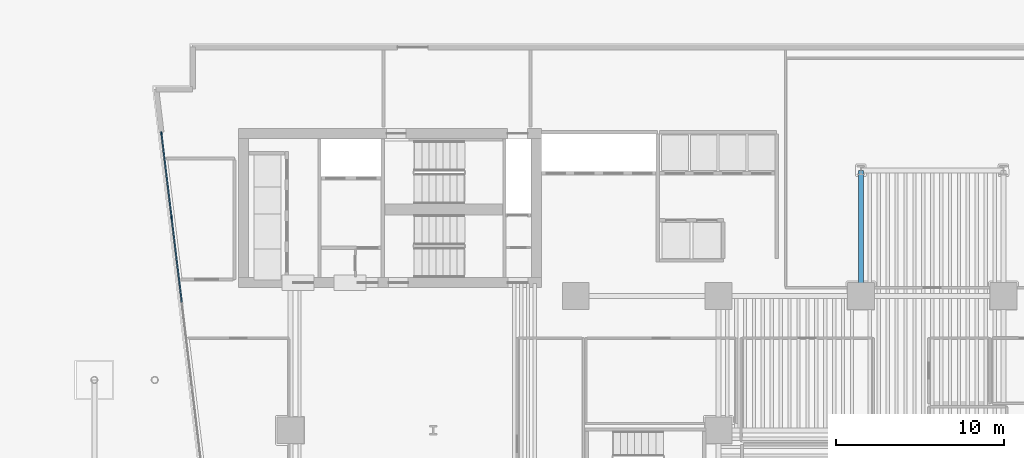
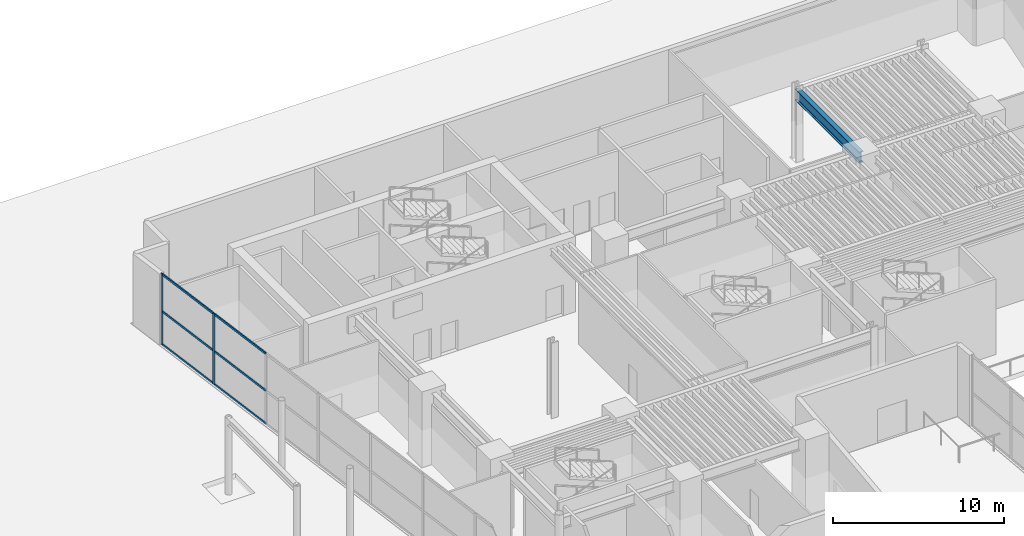
# One storey, part 6 of 18: 8 members, 1 beam, 1 element without a shape of its own.
"""IFC4 building model written with IfcOpenShell, lengths in metres."""

from ifc_helpers import new_model, si_unit, direction, frame, origin, origin_2d, place, context, subcontext, project, spatial, rectangle, i_section, extrude, material, layer, layer_set, material_profile, profile_set, type_object, element, aggregate, save


model = new_model("IFC4")

# Units and contexts
model_context = context("Model", 3, precision=1e-05, world=origin(), true_north=direction((0.0, 1.0)))
body_context = subcontext(model_context, "Body", "Model", "MODEL_VIEW")
ifc_project = project(units=[si_unit("LENGTHUNIT", "METRE"), si_unit("AREAUNIT", "SQUARE_METRE"), si_unit("VOLUMEUNIT", "CUBIC_METRE"), si_unit("PLANEANGLEUNIT", "RADIAN"), si_unit("MASSUNIT", "GRAM", prefix="KILO")], contexts=[model_context])

# Site, building, storey
site_placement = place(None, origin())
site = spatial("IfcSite", under=ifc_project, at=site_placement, CompositionType="ELEMENT")
building_placement = place(site_placement, origin())
building = spatial("IfcBuilding", under=site, at=building_placement, Name="Caeloran Harvest Quay", CompositionType="ELEMENT")
storey_placement = place(building_placement, origin())
storey = spatial("IfcBuildingStorey", under=building, at=storey_placement, Name="L01", CompositionType="ELEMENT", Elevation=0.0)

# Beam
ifc_material_1 = material(Name="Steel S355J2", Category="steel")
ifc_material_profile_1 = material_profile(ifc_material_1, i_section(OverallWidth=0.300048828125, OverallDepth=0.800048828125, WebThickness=0.017578125, FlangeThickness=0.032958984375, FilletRadius=0.030029296875, at=origin_2d()), Name="HE 800 B")
ifc_profile_set_1 = profile_set([ifc_material_profile_1], Name="Steel S355J2")
beam_type = type_object("IfcBeamType", Name="BM-PG-1-HE_800_B", PredefinedType="BEAM", material=ifc_profile_set_1)
beam_placement = place(storey_placement, frame((42.5, 31.0, 4.679931640625), z_axis=(0.0, 1.0, 0.0), x_axis=(-1.0, 0.0, 0.0)))
element("IfcBeam", 1, at=beam_placement, inside=storey, type_object=beam_type, Name="L01 Primary North-South Girder X=42.5", PredefinedType="BEAM", context=body_context, shape_type="SweptSolid", body=[
    extrude(i_section(OverallWidth=0.300048828125, OverallDepth=0.800048828125, WebThickness=0.017578125, FlangeThickness=0.032958984375, FilletRadius=0.030029296875, at=origin_2d()), origin(), (0.0, 0.0, 1.0), 7.5),
])

# Curtain wall, members
ifc_material_2 = material(Name="Aluminium 6063-T6 and Low-E Glazing", Category="aluminium")
ifc_layer = layer(ifc_material_2, 0.179931640625, Name="Aluminium 6063-T6 and Low-E Glazing")
ifc_layer_set = layer_set([ifc_layer], Name="Aluminium 6063-T6 and Low-E Glazing")
curtain_wall_type = type_object("IfcCurtainWallType", Name="CW-SYS-CW-1", PredefinedType="USERDEFINED", material=ifc_layer_set)
curtain_wall_placement = place(storey_placement, origin())
curtain_wall = element("IfcCurtainWall", 2, at=curtain_wall_placement, inside=storey, type_object=curtain_wall_type, Name="L01 Unitised Curtain Wall CW-1 Run 3", ObjectType="CURTAIN_WALL", PredefinedType="USERDEFINED")
ifc_material_3 = material(Name="Aluminium 6063-T6", Category="aluminium")
ifc_material_profile_2 = material_profile(ifc_material_3, rectangle(XDim=0.080078125, YDim=0.179931640625, at=origin_2d()), Name="CW-MULLION-180")
ifc_profile_set_2 = profile_set([ifc_material_profile_2], Name="Aluminium 6063-T6")
member_type_1 = type_object("IfcMemberType", Name="CW-MULLION-180", PredefinedType="MULLION", material=ifc_profile_set_2)
member_1_placement = place(storey_placement, frame((1.404296875, 35.684814453125, 0.0), z_axis=(0.0, 0.0, 1.0), x_axis=(-0.992815161093, -0.119658079138, 0.0)))
member_1 = element("IfcMember", 3, at=member_1_placement, type_object=member_type_1, Name="CW-1 mullion 7", PredefinedType="MULLION", context=body_context, shape_type="SweptSolid", body=[
    extrude(rectangle(XDim=0.080078125, YDim=0.179931640625, at=origin_2d()), origin(), (0.0, 0.0, 1.0), 5.080078125),
])
member_2_placement = place(storey_placement, frame((0.797607421875, 40.718994140625, 0.0), z_axis=(0.0, 0.0, 1.0), x_axis=(-0.992815161093, -0.119658079138, 0.0)))
member_2 = element("IfcMember", 4, at=member_2_placement, type_object=member_type_1, Name="CW-1 mullion 8", PredefinedType="MULLION", context=body_context, shape_type="SweptSolid", body=[
    extrude(rectangle(XDim=0.080078125, YDim=0.179931640625, at=origin_2d()), origin(), (0.0, 0.0, 1.0), 5.080078125),
])
ifc_material_profile_3 = material_profile(ifc_material_3, rectangle(XDim=0.080078125, YDim=0.14990234375, at=origin_2d()), Name="CW-TRANSOM-150")
ifc_profile_set_3 = profile_set([ifc_material_profile_3], Name="Aluminium 6063-T6")
member_type_2 = type_object("IfcMemberType", Name="CW-TRANSOM-150", PredefinedType="USERDEFINED", material=ifc_profile_set_3)
member_3_placement = place(storey_placement, frame((2.010986328125, 30.650634765625, 0.0400390625), z_axis=(-0.119631291469, 0.992818389284, 0.0), x_axis=(-0.992818389284, -0.119631291469, 0.0)))
member_3 = element("IfcMember", 5, at=member_3_placement, type_object=member_type_2, Name="CW-1 transom 6.1", ObjectType="TRANSOM", PredefinedType="USERDEFINED", context=body_context, shape_type="SweptSolid", body=[
    extrude(rectangle(XDim=0.080078125, YDim=0.14990234375, at=origin_2d()), origin(), (0.0, 0.0, 1.0), 5.030517578125),
])
member_4_placement = place(storey_placement, frame((2.010986328125, 30.650634765625, 2.39990234375), z_axis=(-0.119631291469, 0.992818389284, 0.0), x_axis=(-0.992818389284, -0.119631291469, 0.0)))
member_4 = element("IfcMember", 6, at=member_4_placement, type_object=member_type_2, Name="CW-1 transom 6.2", ObjectType="TRANSOM", PredefinedType="USERDEFINED", context=body_context, shape_type="SweptSolid", body=[
    extrude(rectangle(XDim=0.080078125, YDim=0.14990234375, at=origin_2d()), origin(), (0.0, 0.0, 1.0), 5.030517578125),
])
member_5_placement = place(storey_placement, frame((2.010986328125, 30.650634765625, 5.0400390625), z_axis=(-0.119631291469, 0.992818389284, 0.0), x_axis=(-0.992818389284, -0.119631291469, 0.0)))
member_5 = element("IfcMember", 7, at=member_5_placement, type_object=member_type_2, Name="CW-1 transom 6.3", ObjectType="TRANSOM", PredefinedType="USERDEFINED", context=body_context, shape_type="SweptSolid", body=[
    extrude(rectangle(XDim=0.080078125, YDim=0.14990234375, at=origin_2d()), origin(), (0.0, 0.0, 1.0), 5.030517578125),
])
member_6_placement = place(storey_placement, frame((1.399658203125, 35.724609375, 0.0400390625), z_axis=(-0.119662199144, 0.992814664525, 0.0), x_axis=(-0.992814664525, -0.119662199144, 0.0)))
member_6 = element("IfcMember", 8, at=member_6_placement, type_object=member_type_2, Name="CW-1 transom 7.1", ObjectType="TRANSOM", PredefinedType="USERDEFINED", context=body_context, shape_type="SweptSolid", body=[
    extrude(rectangle(XDim=0.080078125, YDim=0.14990234375, at=origin_2d()), origin(), (0.0, 0.0, 1.0), 4.990478515625),
])
member_7_placement = place(storey_placement, frame((1.399658203125, 35.724609375, 2.39990234375), z_axis=(-0.119662199144, 0.992814664525, 0.0), x_axis=(-0.992814664525, -0.119662199144, 0.0)))
member_7 = element("IfcMember", 9, at=member_7_placement, type_object=member_type_2, Name="CW-1 transom 7.2", ObjectType="TRANSOM", PredefinedType="USERDEFINED", context=body_context, shape_type="SweptSolid", body=[
    extrude(rectangle(XDim=0.080078125, YDim=0.14990234375, at=origin_2d()), origin(), (0.0, 0.0, 1.0), 4.990478515625),
])
member_8_placement = place(storey_placement, frame((1.399658203125, 35.724609375, 5.0400390625), z_axis=(-0.119662199144, 0.992814664525, 0.0), x_axis=(-0.992814664525, -0.119662199144, 0.0)))
member_8 = element("IfcMember", 10, at=member_8_placement, type_object=member_type_2, Name="CW-1 transom 7.3", ObjectType="TRANSOM", PredefinedType="USERDEFINED", context=body_context, shape_type="SweptSolid", body=[
    extrude(rectangle(XDim=0.080078125, YDim=0.14990234375, at=origin_2d()), origin(), (0.0, 0.0, 1.0), 4.990478515625),
])
aggregate(curtain_wall, [member_1, member_2, member_3, member_4, member_5, member_6, member_7, member_8])

save(model, "model.ifc")
